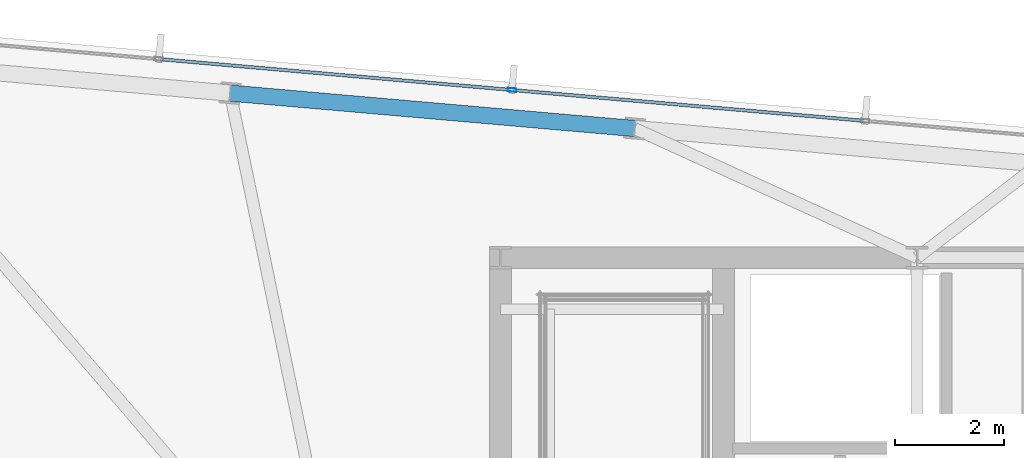
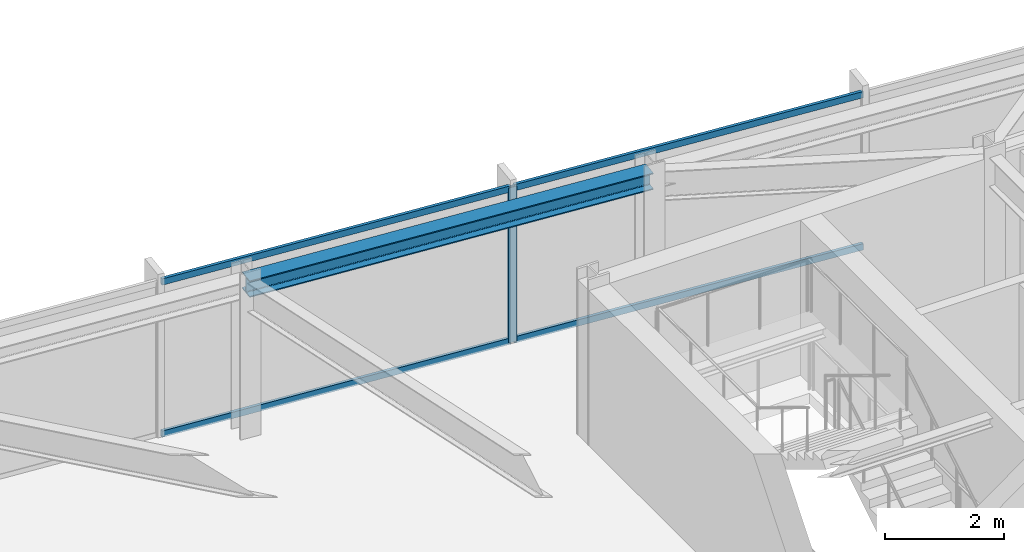
# One storey, part 24 of 32: 5 members, 1 beam, 1 element without a shape of its own.
"""IFC4 building model written with IfcOpenShell, lengths in metres."""

import ifcopenshell
import ifcopenshell.guid

model = None  # the IFC model being written
_history = None  # IfcOwnerHistory: only IFC2X3 demands one
_inside = {}  # id of a spatial element -> (the spatial element, [elements in it])
_under = {}  # id of a project, library or spatial element -> (it, [spatial elements below it])
_declared = {}  # id of a project -> (the project, [libraries it declares])
_typed = {}  # id of a type object -> (the type object, [elements of that type])
_made_of = {}  # id of a material, layer set ... -> (it, [elements and type objects made of it])


def new_model(schema):
    """Start an empty IFC model of exactly this schema.

    Asked for "IFC4X3", IfcOpenShell would pick the latest addendum, in which some entities
    have other attributes; the version numbers below select the first issue.
    IFC2X3 requires an IfcOwnerHistory on every rooted entity: one is made here for all.
    """
    global model, _history
    if schema == "IFC4X3":
        model = ifcopenshell.file(schema_version=(4, 3, 0, 0))
    else:
        model = ifcopenshell.file(schema=schema)
    _inside.clear()
    _under.clear()
    _declared.clear()
    _typed.clear()
    _made_of.clear()
    _history = None
    if model.schema == "IFC2X3":
        org = make("IfcOrganization", Name="unknown")
        user = make(
            "IfcPersonAndOrganization",
            ThePerson=make("IfcPerson", FamilyName="unknown"),
            TheOrganization=org,
        )
        app = make(
            "IfcApplication",
            ApplicationDeveloper=org,
            Version="unknown",
            ApplicationFullName="unknown",
            ApplicationIdentifier="unknown",
        )
        _history = make(
            "IfcOwnerHistory",
            OwningUser=user,
            OwningApplication=app,
            ChangeAction="ADDED",
            CreationDate=0,
        )
    return model


def make(cls, **values):
    """One entity of the class cls with the attributes given. An attribute that is None is left unset."""
    return model.create_entity(
        cls, **{name: value for name, value in values.items() if value is not None}
    )


def rooted(cls, **values):
    """An entity with a GlobalId (a new one), such as an element, a storey or a relation."""
    return make(cls, GlobalId=ifcopenshell.guid.new(), OwnerHistory=_history, **values)


def si_unit(unit_type, name, prefix=None):
    """IfcSIUnit, for example si_unit("LENGTHUNIT", "METRE", prefix="MILLI")."""
    return make("IfcSIUnit", UnitType=unit_type, Prefix=prefix, Name=name)


def assignment(units):
    """IfcUnitAssignment: the units of a project."""
    return None if units is None else make("IfcUnitAssignment", Units=units)


def point(xyz):
    """IfcCartesianPoint."""
    return None if xyz is None else make("IfcCartesianPoint", Coordinates=xyz)


def direction(xyz):
    """IfcDirection."""
    return None if xyz is None else make("IfcDirection", DirectionRatios=xyz)


def frame(location, z_axis=None, x_axis=None):
    """IfcAxis2Placement3D, a coordinate frame: its origin and axes. An axis left out is left unset."""
    return make(
        "IfcAxis2Placement3D",
        Location=point(location),
        Axis=direction(z_axis),
        RefDirection=direction(x_axis),
    )


def frame_2d(location, x_axis=None):
    """IfcAxis2Placement2D, a coordinate frame in the plane: its origin and x axis."""
    return make(
        "IfcAxis2Placement2D", Location=point(location), RefDirection=direction(x_axis)
    )


def origin():
    """The frame at (0, 0, 0) with its axes left unset."""
    return frame((0.0, 0.0, 0.0))


def origin_2d():
    """The frame at (0, 0) in the plane with its x axis left unset."""
    return frame_2d((0.0, 0.0))


def place(relative_to, where):
    """IfcLocalPlacement: puts the frame where relative to a parent placement (None: the world)."""
    return make(
        "IfcLocalPlacement", PlacementRelTo=relative_to, RelativePlacement=where
    )


def context(
    kind, dimensions, precision=None, world=None, true_north=None, identifier=None
):
    """IfcGeometricRepresentationContext, for example the 3D "Model" context."""
    return make(
        "IfcGeometricRepresentationContext",
        ContextIdentifier=identifier,
        ContextType=kind,
        CoordinateSpaceDimension=dimensions,
        Precision=precision,
        WorldCoordinateSystem=world,
        TrueNorth=true_north,
    )


def subcontext(parent, identifier, kind, view, scale=None):
    """IfcGeometricRepresentationSubContext, for example "Body" below "Model"."""
    return make(
        "IfcGeometricRepresentationSubContext",
        ContextIdentifier=identifier,
        ContextType=kind,
        ParentContext=parent,
        TargetScale=scale,
        TargetView=view,
    )


def project(units=None, contexts=None):
    """IfcProject with its units and contexts."""
    return rooted(
        "IfcProject",
        Name="project",
        RepresentationContexts=contexts,
        UnitsInContext=assignment(units),
    )


def spatial(cls, under=None, at=None, **own):
    """A site, building, storey or space (cls), placed at a placement, below another one or the project."""
    s = rooted(cls, ObjectPlacement=at, **own)
    if under is not None:
        _under.setdefault(under.id(), (under, []))[1].append(s)
    return s


def profile(cls, at=None, kind="AREA", **sizes):
    """A parametric profile (cls). Its sizes go by their IFC names, for example OverallWidth=200.0."""
    return make(cls, ProfileType=kind, Position=at, **sizes)


def hollow_rectangle(**sizes):
    """IfcRectangleHollowProfileDef."""
    return profile("IfcRectangleHollowProfileDef", **sizes)


def i_section(**sizes):
    """IfcIShapeProfileDef."""
    return profile("IfcIShapeProfileDef", **sizes)


def extrude(swept, where, along, depth):
    """IfcExtrudedAreaSolid: the profile swept, set in the frame where, extruded along a direction by depth."""
    return make(
        "IfcExtrudedAreaSolid",
        SweptArea=swept,
        Position=where,
        ExtrudedDirection=direction(along),
        Depth=depth,
    )


def shape(context_of_items, identifier, shape_type, items):
    """IfcShapeRepresentation: the items that make up one representation, for example the "Body"."""
    return make(
        "IfcShapeRepresentation",
        ContextOfItems=context_of_items,
        RepresentationIdentifier=identifier,
        RepresentationType=shape_type,
        Items=items,
    )


def material(Name=None, Category=None):
    """IfcMaterial."""
    return make("IfcMaterial", Name=Name, Category=Category)


def material_profile(
    of_material, cross_section, Name=None, Category=None, Priority=None
):
    """IfcMaterialProfile: a cross section and its material."""
    return make(
        "IfcMaterialProfile",
        Name=Name,
        Material=of_material,
        Profile=cross_section,
        Priority=Priority,
        Category=Category,
    )


def profile_set(profiles, Name=None, composite=None):
    """IfcMaterialProfileSet."""
    return make(
        "IfcMaterialProfileSet",
        Name=Name,
        MaterialProfiles=profiles,
        CompositeProfile=composite,
    )


def made_of(thing, what):
    """Note that an element or type object is made of a material, layer set ...; save() writes the relation."""
    if what is not None:
        _made_of.setdefault(what.id(), (what, []))[1].append(thing)
    return thing


def type_object(cls, material=None, **own):
    """A type object (cls), such as IfcWallType, which elements share."""
    return made_of(rooted(cls, **own), material)


def element(
    cls,
    number,
    at=None,
    inside=None,
    cuts=None,
    type_object=None,
    material=None,
    context=None,
    identifier="Body",
    shape_type=None,
    held_by="IfcProductDefinitionShape",
    body=None,
    shapes=None,
    **own,
):
    """One element of the class cls, such as IfcWall. Its Tag is "e" and its number.

    at: its placement. inside: the storey or other place that contains it. cuts: it is an
    opening in that element (IfcRelVoidsElement). A single representation is given by context,
    identifier, shape_type and body (its items); several are given by shapes. held_by: the class
    of the entity that holds the representations. save() writes the other relations.
    """
    e = rooted(cls, Tag="e%d" % number, ObjectPlacement=at, **own)
    if body is not None:
        shapes = [shape(context, identifier, shape_type, body)]
    if shapes is not None:
        e.Representation = make(held_by, Representations=shapes)
    if inside is not None:
        _inside.setdefault(inside.id(), (inside, []))[1].append(e)
    if cuts is not None:
        rooted(
            "IfcRelVoidsElement", RelatingBuildingElement=cuts, RelatedOpeningElement=e
        )
    if type_object is not None:
        _typed.setdefault(type_object.id(), (type_object, []))[1].append(e)
    return made_of(e, material)


def aggregate(whole, parts):
    """IfcRelAggregates: a whole, such as a stair, and the parts it consists of."""
    return rooted("IfcRelAggregates", RelatingObject=whole, RelatedObjects=parts)


def save(model, path):
    """Write the relations noted so far, then the file.

    IfcRelAggregates (storeys below a building ...), IfcRelContainedInSpatialStructure (elements
    in a storey), IfcRelDefinesByType, IfcRelAssociatesMaterial and IfcRelDeclares: one each for
    every whole, place, type object, material and project.
    """
    for whole, parts in _under.values():
        aggregate(whole, parts)
    for where, things in _inside.values():
        rooted(
            "IfcRelContainedInSpatialStructure",
            RelatedElements=things,
            RelatingStructure=where,
        )
    for kind, things in _typed.values():
        rooted("IfcRelDefinesByType", RelatedObjects=things, RelatingType=kind)
    for what, things in _made_of.values():
        rooted("IfcRelAssociatesMaterial", RelatedObjects=things, RelatingMaterial=what)
    for by, libraries in _declared.values():
        rooted("IfcRelDeclares", RelatingContext=by, RelatedDefinitions=libraries)
    model.write(path)


model = new_model("IFC4")

# Units and contexts
model_context = context("Model", 3, precision=1e-05, world=origin(), true_north=direction((0.0, 1.0)))
body_context = subcontext(model_context, "Body", "Model", "MODEL_VIEW")
ifc_project = project(units=[si_unit("LENGTHUNIT", "METRE"), si_unit("AREAUNIT", "SQUARE_METRE"), si_unit("VOLUMEUNIT", "CUBIC_METRE"), si_unit("PLANEANGLEUNIT", "RADIAN"), si_unit("MASSUNIT", "GRAM", prefix="KILO")], contexts=[model_context])

# Site, building, storey
site_placement = place(None, origin())
site = spatial("IfcSite", under=ifc_project, at=site_placement, CompositionType="ELEMENT")
building_placement = place(site_placement, origin())
building = spatial("IfcBuilding", under=site, at=building_placement, Name="Yelkora Congress Tower", CompositionType="ELEMENT")
storey_placement = place(building_placement, frame((0.0, 0.0, 272.699951171875)))
storey = spatial("IfcBuildingStorey", under=building, at=storey_placement, Name="L76", CompositionType="ELEMENT", Elevation=272.699951171875)

# Beam
ifc_material_1 = material(Name="Steel S355J2", Category="steel")
ifc_material_profile_1 = material_profile(ifc_material_1, i_section(OverallWidth=0.300048828125, OverallDepth=0.340087890625, WebThickness=0.011962890625, FlangeThickness=0.021484375, FilletRadius=0.027099609375, at=origin_2d()), Name="HEB 340")
ifc_profile_set_1 = profile_set([ifc_material_profile_1], Name="Steel S355J2")
beam_type = type_object("IfcBeamType", Name="BM-SPAN-HEB340", PredefinedType="SPANDREL", material=ifc_profile_set_1)
beam_placement = place(storey_placement, frame((25.513916015625, 48.57958984375, 3.010009765625), z_axis=(-0.996196266663, 0.087137812034, 0.0), x_axis=(-0.087137812034, -0.996196266663, 0.0)))
element("IfcBeam", 1, at=beam_placement, inside=storey, type_object=beam_type, Name="L76 Perimeter Beam 11", PredefinedType="SPANDREL", context=body_context, shape_type="SweptSolid", body=[
    extrude(i_section(OverallWidth=0.300048828125, OverallDepth=0.340087890625, WebThickness=0.011962890625, FlangeThickness=0.021484375, FilletRadius=0.027099609375, at=origin_2d()), origin(), (0.0, 0.0, 1.0), 7.483642578125),
])

# Curtain wall, members
ifc_material_2 = material(Name="Anodised aluminium and insulated glass", Category="aluminium")
curtain_wall_type = type_object("IfcCurtainWallType", Name="CW-SYS-B5", PredefinedType="NOTDEFINED", material=ifc_material_2)
curtain_wall_placement = place(storey_placement, origin())
curtain_wall = element("IfcCurtainWall", 2, at=curtain_wall_placement, inside=storey, type_object=curtain_wall_type, Name="L76 Unitised Curtain Wall 10", PredefinedType="NOTDEFINED")
ifc_material_3 = material(Name="Anodised aluminium 6063-T6", Category="aluminium")
ifc_material_profile_2 = material_profile(ifc_material_3, hollow_rectangle(XDim=0.06494140625, YDim=0.159912109375, WallThickness=0.00390625, at=origin_2d()), Name="ALU 65x160x4")
ifc_profile_set_2 = profile_set([ifc_material_profile_2], Name="Anodised aluminium 6063-T6")
member_type_1 = type_object("IfcMemberType", Name="MEM-ML-B5", PredefinedType="MULLION", material=ifc_profile_set_2)
member_1_placement = place(storey_placement, frame((23.253173828125, 49.289306640625, 0.0), z_axis=(0.0, 0.0, 1.0), x_axis=(0.087156639893, 0.996194619601, 0.0)))
member_1 = element("IfcMember", 3, at=member_1_placement, type_object=member_type_1, Name="CW-B5 mullion 3", PredefinedType="MULLION", context=body_context, shape_type="SweptSolid", body=[
    extrude(hollow_rectangle(XDim=0.06494140625, YDim=0.159912109375, WallThickness=0.00390625, at=origin_2d()), origin(), (0.0, 0.0, 1.0), 3.179931640625),
])
ifc_material_profile_3 = material_profile(ifc_material_3, hollow_rectangle(XDim=0.06005859375, YDim=0.1298828125, WallThickness=0.00390625, at=origin_2d()), Name="ALU 60x130x4")
ifc_profile_set_3 = profile_set([ifc_material_profile_3], Name="Anodised aluminium 6063-T6")
member_type_2 = type_object("IfcMemberType", Name="MEM-TR-B5", PredefinedType="USERDEFINED", material=ifc_profile_set_3)
member_2_placement = place(storey_placement, frame((16.779052734375, 49.855712890625, 0.030029296875), z_axis=(0.996195971174, -0.087141190126, 0.0), x_axis=(0.087141190126, 0.996195971174, 0.0)))
member_2 = element("IfcMember", 4, at=member_2_placement, type_object=member_type_2, Name="CW-B5 transom 2.1", ObjectType="TRANSOM", PredefinedType="USERDEFINED", context=body_context, shape_type="SweptSolid", body=[
    extrude(hollow_rectangle(XDim=0.06005859375, YDim=0.1298828125, WallThickness=0.00390625, at=origin_2d()), origin(), (0.0, 0.0, 1.0), 6.46630859375),
])
member_3_placement = place(storey_placement, frame((16.779052734375, 49.855712890625, 3.150146484375), z_axis=(0.996195971174, -0.087141190126, 0.0), x_axis=(0.087141190126, 0.996195971174, 0.0)))
member_3 = element("IfcMember", 5, at=member_3_placement, type_object=member_type_2, Name="CW-B5 transom 2.2", ObjectType="TRANSOM", PredefinedType="USERDEFINED", context=body_context, shape_type="SweptSolid", body=[
    extrude(hollow_rectangle(XDim=0.06005859375, YDim=0.1298828125, WallThickness=0.00390625, at=origin_2d()), origin(), (0.0, 0.0, 1.0), 6.46630859375),
])
member_4_placement = place(storey_placement, frame((23.285400390625, 49.286376953125, 0.030029296875), z_axis=(0.996196257862, -0.087137912649, 0.0), x_axis=(0.087137912649, 0.996196257862, 0.0)))
member_4 = element("IfcMember", 6, at=member_4_placement, type_object=member_type_2, Name="CW-B5 transom 3.1", ObjectType="TRANSOM", PredefinedType="USERDEFINED", context=body_context, shape_type="SweptSolid", body=[
    extrude(hollow_rectangle(XDim=0.06005859375, YDim=0.1298828125, WallThickness=0.00390625, at=origin_2d()), origin(), (0.0, 0.0, 1.0), 6.466552734375),
])
member_5_placement = place(storey_placement, frame((23.285400390625, 49.286376953125, 3.150146484375), z_axis=(0.996196257862, -0.087137912649, 0.0), x_axis=(0.087137912649, 0.996196257862, 0.0)))
member_5 = element("IfcMember", 7, at=member_5_placement, type_object=member_type_2, Name="CW-B5 transom 3.2", ObjectType="TRANSOM", PredefinedType="USERDEFINED", context=body_context, shape_type="SweptSolid", body=[
    extrude(hollow_rectangle(XDim=0.06005859375, YDim=0.1298828125, WallThickness=0.00390625, at=origin_2d()), origin(), (0.0, 0.0, 1.0), 6.466552734375),
])
aggregate(curtain_wall, [member_1, member_2, member_3, member_4, member_5])

save(model, "model.ifc")
